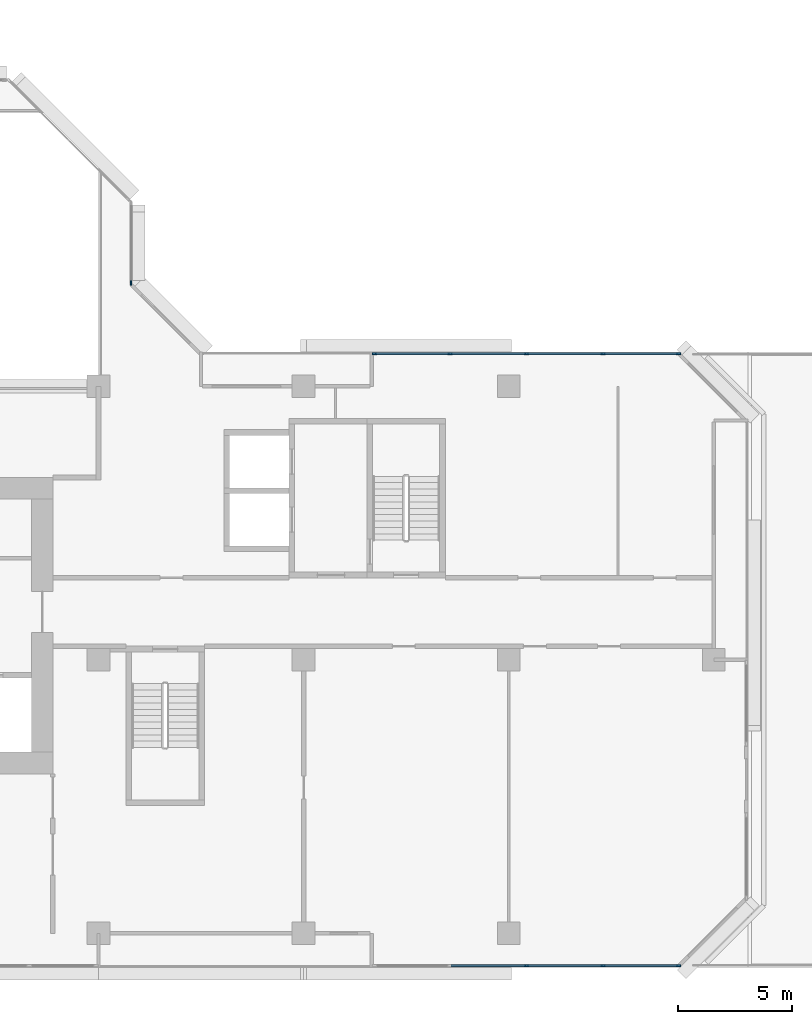
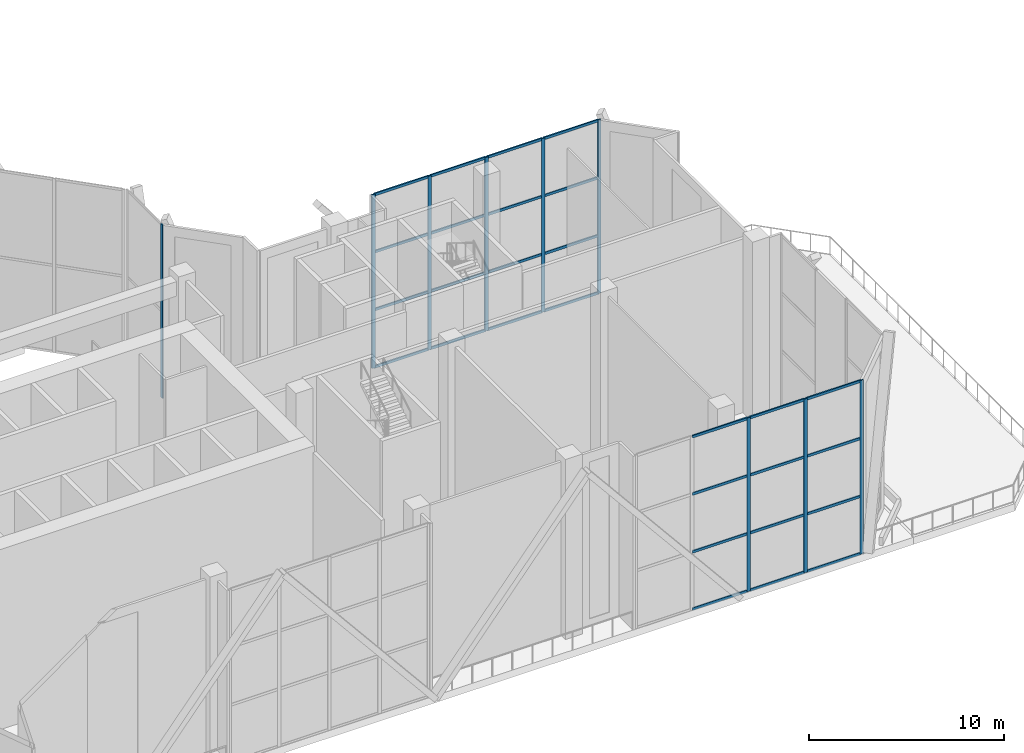
# One storey, part 4 of 21: 37 members, 3 elements without a shape of their own.
"""IFC4 building model written with IfcOpenShell, lengths in metres."""

from ifc_helpers import new_model, si_unit, direction, frame, origin, origin_2d, place, context, subcontext, project, spatial, rectangle, extrude, material, layer, layer_set, material_profile, profile_set, type_object, element, aggregate, save


model = new_model("IFC4")

# Units and contexts
model_context = context("Model", 3, precision=1e-05, world=origin(), true_north=direction((0.0, 1.0)))
body_context = subcontext(model_context, "Body", "Model", "MODEL_VIEW")
ifc_project = project(units=[si_unit("LENGTHUNIT", "METRE"), si_unit("AREAUNIT", "SQUARE_METRE"), si_unit("VOLUMEUNIT", "CUBIC_METRE"), si_unit("PLANEANGLEUNIT", "RADIAN"), si_unit("MASSUNIT", "GRAM", prefix="KILO")], contexts=[model_context])

# Site, building, storey
site_placement = place(None, origin())
site = spatial("IfcSite", under=ifc_project, at=site_placement, CompositionType="ELEMENT")
building_placement = place(site_placement, origin())
building = spatial("IfcBuilding", under=site, at=building_placement, Name="Chenar Terraces", CompositionType="ELEMENT")
storey_placement = place(building_placement, frame((0.0, 0.0, 146.14990234375)))
storey = spatial("IfcBuildingStorey", under=building, at=storey_placement, Name="L34", CompositionType="ELEMENT", Elevation=146.14990234375)

# Curtain wall, member
ifc_material_1 = material(Name="Aluminium framed glazing", Category="aluminium")
ifc_layer_1 = layer(ifc_material_1, 0.14990234375)
ifc_layer_set_1 = layer_set([ifc_layer_1], Name="Aluminium framed glazing")
curtain_wall_type_1 = type_object("IfcCurtainWallType", Name="Atrium mid-zone curtain wall", PredefinedType="NOTDEFINED", material=ifc_layer_set_1)
placement = place(storey_placement, origin())
curtain_wall_1 = element("IfcCurtainWall", 1, at=placement, inside=storey, type_object=curtain_wall_type_1, Name="Atrium mid-zone curtain wall", PredefinedType="NOTDEFINED")
ifc_material_2 = material(Name="Aluminium", Category="aluminium")
ifc_material_profile_1 = material_profile(ifc_material_2, rectangle(XDim=0.070068359375, YDim=0.179931640625, at=origin_2d()), Name="Atrium mid-zone glazing mullion 70 x 180")
ifc_profile_set_1 = profile_set([ifc_material_profile_1], Name="Aluminium")
member_type_1 = type_object("IfcMemberType", Name="Atrium mid-zone glazing mullion 70 x 180", PredefinedType="MULLION", material=ifc_profile_set_1)
member_1_placement = place(storey_placement, frame((37.425048828125, 28.534912109375, 0.0), z_axis=(0.0, 0.0, 1.0), x_axis=(-1.0, 0.0, 0.0)))
member_1 = element("IfcMember", 2, at=member_1_placement, type_object=member_type_1, Name="CW7-1 mullion 1", PredefinedType="MULLION", context=body_context, shape_type="SweptSolid", body=[
    extrude(rectangle(XDim=0.070068359375, YDim=0.179931640625, at=origin_2d()), origin(), (0.0, 0.0, 1.0), 10.85009765625),
])
aggregate(curtain_wall_1, [member_1])

# Curtain wall, members
ifc_material_3 = material(Name="Aluminium framed glazing", Category="aluminium")
ifc_layer_2 = layer(ifc_material_3, 0.14990234375)
ifc_layer_set_2 = layer_set([ifc_layer_2], Name="Aluminium framed glazing")
curtain_wall_type_2 = type_object("IfcCurtainWallType", Name="Sky garden curtain wall", PredefinedType="NOTDEFINED", material=ifc_layer_set_2)
curtain_wall_2 = element("IfcCurtainWall", 3, at=placement, inside=storey, type_object=curtain_wall_type_2, Name="Sky garden curtain wall", PredefinedType="NOTDEFINED")
ifc_material_4 = material(Name="Aluminium", Category="aluminium")
ifc_material_profile_2 = material_profile(ifc_material_4, rectangle(XDim=0.080078125, YDim=0.199951171875, at=origin_2d()), Name="Sky garden mullion 80 x 200")
ifc_profile_set_2 = profile_set([ifc_material_profile_2], Name="Aluminium")
member_type_2 = type_object("IfcMemberType", Name="Sky garden mullion 80 x 200", PredefinedType="MULLION", material=ifc_profile_set_2)
member_2_placement = place(storey_placement, frame((61.4599609375, 25.425048828125, 0.0), z_axis=(0.0, 0.0, 1.0), x_axis=(0.0, -1.0, 0.0)))
member_2 = element("IfcMember", 4, at=member_2_placement, type_object=member_type_2, Name="CW3-01 mullion 1", PredefinedType="MULLION", context=body_context, shape_type="SweptSolid", body=[
    extrude(rectangle(XDim=0.080078125, YDim=0.199951171875, at=origin_2d()), origin(), (0.0, 0.0, 1.0), 10.85009765625),
])
member_3_placement = place(storey_placement, frame((58.143798828125, 25.425048828125, 0.0), z_axis=(0.0, 0.0, 1.0), x_axis=(0.0, -1.0, 0.0)))
member_3 = element("IfcMember", 5, at=member_3_placement, type_object=member_type_2, Name="CW3-01 mullion 2", PredefinedType="MULLION", context=body_context, shape_type="SweptSolid", body=[
    extrude(rectangle(XDim=0.080078125, YDim=0.199951171875, at=origin_2d()), origin(), (0.0, 0.0, 1.0), 10.85009765625),
])
member_4_placement = place(storey_placement, frame((54.78759765625, 25.425048828125, 0.0), z_axis=(0.0, 0.0, 1.0), x_axis=(0.0, -1.0, 0.0)))
member_4 = element("IfcMember", 6, at=member_4_placement, type_object=member_type_2, Name="CW3-01 mullion 3", PredefinedType="MULLION", context=body_context, shape_type="SweptSolid", body=[
    extrude(rectangle(XDim=0.080078125, YDim=0.199951171875, at=origin_2d()), origin(), (0.0, 0.0, 1.0), 10.85009765625),
])
member_5_placement = place(storey_placement, frame((51.43115234375, 25.425048828125, 0.0), z_axis=(0.0, 0.0, 1.0), x_axis=(0.0, -1.0, 0.0)))
member_5 = element("IfcMember", 7, at=member_5_placement, type_object=member_type_2, Name="CW3-01 mullion 4", PredefinedType="MULLION", context=body_context, shape_type="SweptSolid", body=[
    extrude(rectangle(XDim=0.080078125, YDim=0.199951171875, at=origin_2d()), origin(), (0.0, 0.0, 1.0), 10.85009765625),
])
member_6_placement = place(storey_placement, frame((48.114990234375, 25.425048828125, 0.0), z_axis=(0.0, 0.0, 1.0), x_axis=(0.0, -1.0, 0.0)))
member_6 = element("IfcMember", 8, at=member_6_placement, type_object=member_type_2, Name="CW3-01 mullion 5", PredefinedType="MULLION", context=body_context, shape_type="SweptSolid", body=[
    extrude(rectangle(XDim=0.080078125, YDim=0.199951171875, at=origin_2d()), origin(), (0.0, 0.0, 1.0), 10.85009765625),
])

curtain_wall_3 = element("IfcCurtainWall", 9, at=placement, inside=storey, type_object=curtain_wall_type_2, Name="Sky garden curtain wall", PredefinedType="NOTDEFINED")
member_7_placement = place(storey_placement, frame((54.78759765625, -1.425048828125, 0.0), z_axis=(0.0, 0.0, 1.0), x_axis=(0.0, 1.0, 0.0)))
member_7 = element("IfcMember", 10, at=member_7_placement, type_object=member_type_2, Name="CW3-07 mullion 3", PredefinedType="MULLION", context=body_context, shape_type="SweptSolid", body=[
    extrude(rectangle(XDim=0.080078125, YDim=0.199951171875, at=origin_2d()), origin(), (0.0, 0.0, 1.0), 10.85009765625),
])
member_8_placement = place(storey_placement, frame((58.143798828125, -1.425048828125, 0.0), z_axis=(0.0, 0.0, 1.0), x_axis=(0.0, 1.0, 0.0)))
member_8 = element("IfcMember", 11, at=member_8_placement, type_object=member_type_2, Name="CW3-07 mullion 4", PredefinedType="MULLION", context=body_context, shape_type="SweptSolid", body=[
    extrude(rectangle(XDim=0.080078125, YDim=0.199951171875, at=origin_2d()), origin(), (0.0, 0.0, 1.0), 10.85009765625),
])
member_9_placement = place(storey_placement, frame((61.4599609375, -1.425048828125, 0.0), z_axis=(0.0, 0.0, 1.0), x_axis=(0.0, 1.0, 0.0)))
member_9 = element("IfcMember", 12, at=member_9_placement, type_object=member_type_2, Name="CW3-07 mullion 5", PredefinedType="MULLION", context=body_context, shape_type="SweptSolid", body=[
    extrude(rectangle(XDim=0.080078125, YDim=0.199951171875, at=origin_2d()), origin(), (0.0, 0.0, 1.0), 10.85009765625),
])

# Member
ifc_material_5 = material(Name="Aluminium", Category="aluminium")
ifc_material_profile_3 = material_profile(ifc_material_5, rectangle(XDim=0.080078125, YDim=0.159912109375, at=origin_2d()), Name="Sky garden transom 80 x 160")
ifc_profile_set_3 = profile_set([ifc_material_profile_3], Name="Aluminium")
member_type_3 = type_object("IfcMemberType", Name="Sky garden transom 80 x 160", PredefinedType="USERDEFINED", material=ifc_profile_set_3)
member_10_placement = place(storey_placement, frame((61.419921875, 25.425048828125, 0.0400390625), z_axis=(-1.0, 0.0, 0.0), x_axis=(0.0, -1.0, 0.0)))
member_10 = element("IfcMember", 13, at=member_10_placement, type_object=member_type_3, Name="CW3-01 transom 1.1", ObjectType="TRANSOM", PredefinedType="USERDEFINED", context=body_context, shape_type="SweptSolid", body=[
    extrude(rectangle(XDim=0.080078125, YDim=0.159912109375, at=origin_2d()), origin(), (0.0, 0.0, 1.0), 3.236083984375),
])

member_11_placement = place(storey_placement, frame((61.419921875, 25.425048828125, 3.6171875), z_axis=(-1.0, 0.0, 0.0), x_axis=(0.0, -1.0, 0.0)))
member_11 = element("IfcMember", 14, at=member_11_placement, type_object=member_type_3, Name="CW3-01 transom 1.2", ObjectType="TRANSOM", PredefinedType="USERDEFINED", context=body_context, shape_type="SweptSolid", body=[
    extrude(rectangle(XDim=0.080078125, YDim=0.159912109375, at=origin_2d()), origin(), (0.0, 0.0, 1.0), 3.236083984375),
])

member_12_placement = place(storey_placement, frame((61.419921875, 25.425048828125, 7.233154296875), z_axis=(-1.0, 0.0, 0.0), x_axis=(0.0, -1.0, 0.0)))
member_12 = element("IfcMember", 15, at=member_12_placement, type_object=member_type_3, Name="CW3-01 transom 1.3", ObjectType="TRANSOM", PredefinedType="USERDEFINED", context=body_context, shape_type="SweptSolid", body=[
    extrude(rectangle(XDim=0.080078125, YDim=0.159912109375, at=origin_2d()), origin(), (0.0, 0.0, 1.0), 3.236083984375),
])

member_13_placement = place(storey_placement, frame((61.419921875, 25.425048828125, 10.81005859375), z_axis=(-1.0, 0.0, 0.0), x_axis=(0.0, -1.0, 0.0)))
member_13 = element("IfcMember", 16, at=member_13_placement, type_object=member_type_3, Name="CW3-01 transom 1.4", ObjectType="TRANSOM", PredefinedType="USERDEFINED", context=body_context, shape_type="SweptSolid", body=[
    extrude(rectangle(XDim=0.080078125, YDim=0.159912109375, at=origin_2d()), origin(), (0.0, 0.0, 1.0), 3.236083984375),
])

member_14_placement = place(storey_placement, frame((58.103759765625, 25.425048828125, 0.0400390625), z_axis=(-1.0, 0.0, 0.0), x_axis=(0.0, -1.0, 0.0)))
member_14 = element("IfcMember", 17, at=member_14_placement, type_object=member_type_3, Name="CW3-01 transom 2.1", ObjectType="TRANSOM", PredefinedType="USERDEFINED", context=body_context, shape_type="SweptSolid", body=[
    extrude(rectangle(XDim=0.080078125, YDim=0.159912109375, at=origin_2d()), origin(), (0.0, 0.0, 1.0), 3.2763671875),
])

member_15_placement = place(storey_placement, frame((58.103759765625, 25.425048828125, 3.6171875), z_axis=(-1.0, 0.0, 0.0), x_axis=(0.0, -1.0, 0.0)))
member_15 = element("IfcMember", 18, at=member_15_placement, type_object=member_type_3, Name="CW3-01 transom 2.2", ObjectType="TRANSOM", PredefinedType="USERDEFINED", context=body_context, shape_type="SweptSolid", body=[
    extrude(rectangle(XDim=0.080078125, YDim=0.159912109375, at=origin_2d()), origin(), (0.0, 0.0, 1.0), 3.2763671875),
])

member_16_placement = place(storey_placement, frame((58.103759765625, 25.425048828125, 7.233154296875), z_axis=(-1.0, 0.0, 0.0), x_axis=(0.0, -1.0, 0.0)))
member_16 = element("IfcMember", 19, at=member_16_placement, type_object=member_type_3, Name="CW3-01 transom 2.3", ObjectType="TRANSOM", PredefinedType="USERDEFINED", context=body_context, shape_type="SweptSolid", body=[
    extrude(rectangle(XDim=0.080078125, YDim=0.159912109375, at=origin_2d()), origin(), (0.0, 0.0, 1.0), 3.2763671875),
])

member_17_placement = place(storey_placement, frame((58.103759765625, 25.425048828125, 10.81005859375), z_axis=(-1.0, 0.0, 0.0), x_axis=(0.0, -1.0, 0.0)))
member_17 = element("IfcMember", 20, at=member_17_placement, type_object=member_type_3, Name="CW3-01 transom 2.4", ObjectType="TRANSOM", PredefinedType="USERDEFINED", context=body_context, shape_type="SweptSolid", body=[
    extrude(rectangle(XDim=0.080078125, YDim=0.159912109375, at=origin_2d()), origin(), (0.0, 0.0, 1.0), 3.2763671875),
])

member_18_placement = place(storey_placement, frame((54.74755859375, 25.425048828125, 0.0400390625), z_axis=(-1.0, 0.0, 0.0), x_axis=(0.0, -1.0, 0.0)))
member_18 = element("IfcMember", 21, at=member_18_placement, type_object=member_type_3, Name="CW3-01 transom 3.1", ObjectType="TRANSOM", PredefinedType="USERDEFINED", context=body_context, shape_type="SweptSolid", body=[
    extrude(rectangle(XDim=0.080078125, YDim=0.159912109375, at=origin_2d()), origin(), (0.0, 0.0, 1.0), 3.2763671875),
])

member_19_placement = place(storey_placement, frame((54.74755859375, 25.425048828125, 3.6171875), z_axis=(-1.0, 0.0, 0.0), x_axis=(0.0, -1.0, 0.0)))
member_19 = element("IfcMember", 22, at=member_19_placement, type_object=member_type_3, Name="CW3-01 transom 3.2", ObjectType="TRANSOM", PredefinedType="USERDEFINED", context=body_context, shape_type="SweptSolid", body=[
    extrude(rectangle(XDim=0.080078125, YDim=0.159912109375, at=origin_2d()), origin(), (0.0, 0.0, 1.0), 3.2763671875),
])

member_20_placement = place(storey_placement, frame((54.74755859375, 25.425048828125, 7.233154296875), z_axis=(-1.0, 0.0, 0.0), x_axis=(0.0, -1.0, 0.0)))
member_20 = element("IfcMember", 23, at=member_20_placement, type_object=member_type_3, Name="CW3-01 transom 3.3", ObjectType="TRANSOM", PredefinedType="USERDEFINED", context=body_context, shape_type="SweptSolid", body=[
    extrude(rectangle(XDim=0.080078125, YDim=0.159912109375, at=origin_2d()), origin(), (0.0, 0.0, 1.0), 3.2763671875),
])

member_21_placement = place(storey_placement, frame((54.74755859375, 25.425048828125, 10.81005859375), z_axis=(-1.0, 0.0, 0.0), x_axis=(0.0, -1.0, 0.0)))
member_21 = element("IfcMember", 24, at=member_21_placement, type_object=member_type_3, Name="CW3-01 transom 3.4", ObjectType="TRANSOM", PredefinedType="USERDEFINED", context=body_context, shape_type="SweptSolid", body=[
    extrude(rectangle(XDim=0.080078125, YDim=0.159912109375, at=origin_2d()), origin(), (0.0, 0.0, 1.0), 3.2763671875),
])

member_22_placement = place(storey_placement, frame((51.391357421875, 25.425048828125, 0.0400390625), z_axis=(-1.0, 0.0, 0.0), x_axis=(0.0, -1.0, 0.0)))
member_22 = element("IfcMember", 25, at=member_22_placement, type_object=member_type_3, Name="CW3-01 transom 4.1", ObjectType="TRANSOM", PredefinedType="USERDEFINED", context=body_context, shape_type="SweptSolid", body=[
    extrude(rectangle(XDim=0.080078125, YDim=0.159912109375, at=origin_2d()), origin(), (0.0, 0.0, 1.0), 3.236328125),
])

member_23_placement = place(storey_placement, frame((51.391357421875, 25.425048828125, 3.6171875), z_axis=(-1.0, 0.0, 0.0), x_axis=(0.0, -1.0, 0.0)))
member_23 = element("IfcMember", 26, at=member_23_placement, type_object=member_type_3, Name="CW3-01 transom 4.2", ObjectType="TRANSOM", PredefinedType="USERDEFINED", context=body_context, shape_type="SweptSolid", body=[
    extrude(rectangle(XDim=0.080078125, YDim=0.159912109375, at=origin_2d()), origin(), (0.0, 0.0, 1.0), 3.236328125),
])

member_24_placement = place(storey_placement, frame((51.391357421875, 25.425048828125, 7.233154296875), z_axis=(-1.0, 0.0, 0.0), x_axis=(0.0, -1.0, 0.0)))
member_24 = element("IfcMember", 27, at=member_24_placement, type_object=member_type_3, Name="CW3-01 transom 4.3", ObjectType="TRANSOM", PredefinedType="USERDEFINED", context=body_context, shape_type="SweptSolid", body=[
    extrude(rectangle(XDim=0.080078125, YDim=0.159912109375, at=origin_2d()), origin(), (0.0, 0.0, 1.0), 3.236328125),
])

member_25_placement = place(storey_placement, frame((51.391357421875, 25.425048828125, 10.81005859375), z_axis=(-1.0, 0.0, 0.0), x_axis=(0.0, -1.0, 0.0)))
member_25 = element("IfcMember", 28, at=member_25_placement, type_object=member_type_3, Name="CW3-01 transom 4.4", ObjectType="TRANSOM", PredefinedType="USERDEFINED", context=body_context, shape_type="SweptSolid", body=[
    extrude(rectangle(XDim=0.080078125, YDim=0.159912109375, at=origin_2d()), origin(), (0.0, 0.0, 1.0), 3.236328125),
])

aggregate(curtain_wall_2, [member_2, member_3, member_4, member_5, member_6, member_10, member_11, member_12, member_13, member_14, member_15, member_16, member_17, member_18, member_19, member_20, member_21, member_22, member_23, member_24, member_25])

member_26_placement = place(storey_placement, frame((51.47119140625, -1.425048828125, 0.0400390625), z_axis=(1.0, 0.0, 0.0), x_axis=(0.0, 1.0, 0.0)))
member_26 = element("IfcMember", 29, at=member_26_placement, type_object=member_type_3, Name="CW3-07 transom 2.1", ObjectType="TRANSOM", PredefinedType="USERDEFINED", context=body_context, shape_type="SweptSolid", body=[
    extrude(rectangle(XDim=0.080078125, YDim=0.159912109375, at=origin_2d()), origin(), (0.0, 0.0, 1.0), 3.2763671875),
])

member_27_placement = place(storey_placement, frame((51.47119140625, -1.425048828125, 3.6171875), z_axis=(1.0, 0.0, 0.0), x_axis=(0.0, 1.0, 0.0)))
member_27 = element("IfcMember", 30, at=member_27_placement, type_object=member_type_3, Name="CW3-07 transom 2.2", ObjectType="TRANSOM", PredefinedType="USERDEFINED", context=body_context, shape_type="SweptSolid", body=[
    extrude(rectangle(XDim=0.080078125, YDim=0.159912109375, at=origin_2d()), origin(), (0.0, 0.0, 1.0), 3.2763671875),
])

member_28_placement = place(storey_placement, frame((51.47119140625, -1.425048828125, 7.233154296875), z_axis=(1.0, 0.0, 0.0), x_axis=(0.0, 1.0, 0.0)))
member_28 = element("IfcMember", 31, at=member_28_placement, type_object=member_type_3, Name="CW3-07 transom 2.3", ObjectType="TRANSOM", PredefinedType="USERDEFINED", context=body_context, shape_type="SweptSolid", body=[
    extrude(rectangle(XDim=0.080078125, YDim=0.159912109375, at=origin_2d()), origin(), (0.0, 0.0, 1.0), 3.2763671875),
])

member_29_placement = place(storey_placement, frame((51.47119140625, -1.425048828125, 10.81005859375), z_axis=(1.0, 0.0, 0.0), x_axis=(0.0, 1.0, 0.0)))
member_29 = element("IfcMember", 32, at=member_29_placement, type_object=member_type_3, Name="CW3-07 transom 2.4", ObjectType="TRANSOM", PredefinedType="USERDEFINED", context=body_context, shape_type="SweptSolid", body=[
    extrude(rectangle(XDim=0.080078125, YDim=0.159912109375, at=origin_2d()), origin(), (0.0, 0.0, 1.0), 3.2763671875),
])

member_30_placement = place(storey_placement, frame((54.827392578125, -1.425048828125, 0.0400390625), z_axis=(1.0, 0.0, 0.0), x_axis=(0.0, 1.0, 0.0)))
member_30 = element("IfcMember", 33, at=member_30_placement, type_object=member_type_3, Name="CW3-07 transom 3.1", ObjectType="TRANSOM", PredefinedType="USERDEFINED", context=body_context, shape_type="SweptSolid", body=[
    extrude(rectangle(XDim=0.080078125, YDim=0.159912109375, at=origin_2d()), origin(), (0.0, 0.0, 1.0), 3.2763671875),
])

member_31_placement = place(storey_placement, frame((54.827392578125, -1.425048828125, 3.6171875), z_axis=(1.0, 0.0, 0.0), x_axis=(0.0, 1.0, 0.0)))
member_31 = element("IfcMember", 34, at=member_31_placement, type_object=member_type_3, Name="CW3-07 transom 3.2", ObjectType="TRANSOM", PredefinedType="USERDEFINED", context=body_context, shape_type="SweptSolid", body=[
    extrude(rectangle(XDim=0.080078125, YDim=0.159912109375, at=origin_2d()), origin(), (0.0, 0.0, 1.0), 3.2763671875),
])

member_32_placement = place(storey_placement, frame((54.827392578125, -1.425048828125, 7.233154296875), z_axis=(1.0, 0.0, 0.0), x_axis=(0.0, 1.0, 0.0)))
member_32 = element("IfcMember", 35, at=member_32_placement, type_object=member_type_3, Name="CW3-07 transom 3.3", ObjectType="TRANSOM", PredefinedType="USERDEFINED", context=body_context, shape_type="SweptSolid", body=[
    extrude(rectangle(XDim=0.080078125, YDim=0.159912109375, at=origin_2d()), origin(), (0.0, 0.0, 1.0), 3.2763671875),
])

member_33_placement = place(storey_placement, frame((54.827392578125, -1.425048828125, 10.81005859375), z_axis=(1.0, 0.0, 0.0), x_axis=(0.0, 1.0, 0.0)))
member_33 = element("IfcMember", 36, at=member_33_placement, type_object=member_type_3, Name="CW3-07 transom 3.4", ObjectType="TRANSOM", PredefinedType="USERDEFINED", context=body_context, shape_type="SweptSolid", body=[
    extrude(rectangle(XDim=0.080078125, YDim=0.159912109375, at=origin_2d()), origin(), (0.0, 0.0, 1.0), 3.2763671875),
])

member_34_placement = place(storey_placement, frame((58.183837890625, -1.425048828125, 0.0400390625), z_axis=(1.0, 0.0, 0.0), x_axis=(0.0, 1.0, 0.0)))
member_34 = element("IfcMember", 37, at=member_34_placement, type_object=member_type_3, Name="CW3-07 transom 4.1", ObjectType="TRANSOM", PredefinedType="USERDEFINED", context=body_context, shape_type="SweptSolid", body=[
    extrude(rectangle(XDim=0.080078125, YDim=0.159912109375, at=origin_2d()), origin(), (0.0, 0.0, 1.0), 3.236083984375),
])

member_35_placement = place(storey_placement, frame((58.183837890625, -1.425048828125, 3.6171875), z_axis=(1.0, 0.0, 0.0), x_axis=(0.0, 1.0, 0.0)))
member_35 = element("IfcMember", 38, at=member_35_placement, type_object=member_type_3, Name="CW3-07 transom 4.2", ObjectType="TRANSOM", PredefinedType="USERDEFINED", context=body_context, shape_type="SweptSolid", body=[
    extrude(rectangle(XDim=0.080078125, YDim=0.159912109375, at=origin_2d()), origin(), (0.0, 0.0, 1.0), 3.236083984375),
])

member_36_placement = place(storey_placement, frame((58.183837890625, -1.425048828125, 7.233154296875), z_axis=(1.0, 0.0, 0.0), x_axis=(0.0, 1.0, 0.0)))
member_36 = element("IfcMember", 39, at=member_36_placement, type_object=member_type_3, Name="CW3-07 transom 4.3", ObjectType="TRANSOM", PredefinedType="USERDEFINED", context=body_context, shape_type="SweptSolid", body=[
    extrude(rectangle(XDim=0.080078125, YDim=0.159912109375, at=origin_2d()), origin(), (0.0, 0.0, 1.0), 3.236083984375),
])

member_37_placement = place(storey_placement, frame((58.183837890625, -1.425048828125, 10.81005859375), z_axis=(1.0, 0.0, 0.0), x_axis=(0.0, 1.0, 0.0)))
member_37 = element("IfcMember", 40, at=member_37_placement, type_object=member_type_3, Name="CW3-07 transom 4.4", ObjectType="TRANSOM", PredefinedType="USERDEFINED", context=body_context, shape_type="SweptSolid", body=[
    extrude(rectangle(XDim=0.080078125, YDim=0.159912109375, at=origin_2d()), origin(), (0.0, 0.0, 1.0), 3.236083984375),
])

aggregate(curtain_wall_3, [member_7, member_8, member_9, member_26, member_27, member_28, member_29, member_30, member_31, member_32, member_33, member_34, member_35, member_36, member_37])

save(model, "model.ifc")
